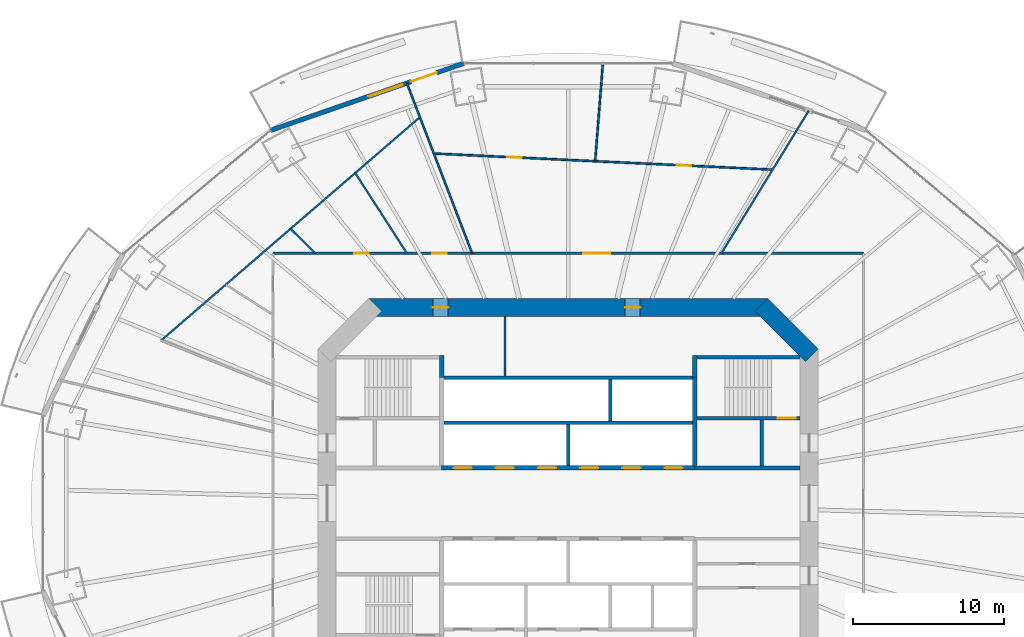
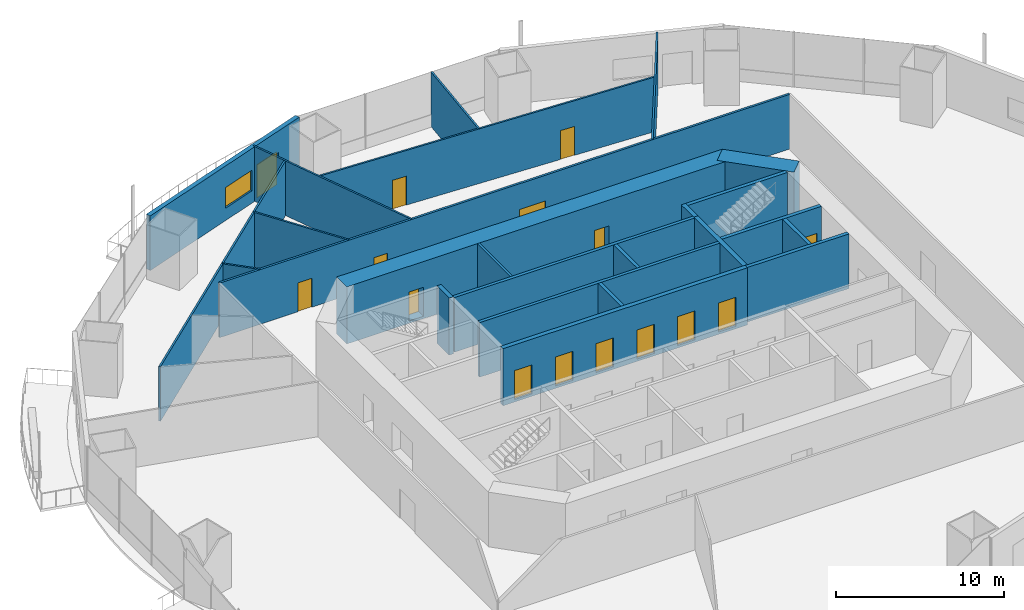
# One storey, part 15 of 22: 24 walls, 15 doors, 1 window, 16 openings.
"""IFC4 building model written with IfcOpenShell, lengths in metres."""

import ifcopenshell
import ifcopenshell.guid

model = None  # the IFC model being written
_history = None  # IfcOwnerHistory: only IFC2X3 demands one
_inside = {}  # id of a spatial element -> (the spatial element, [elements in it])
_under = {}  # id of a project, library or spatial element -> (it, [spatial elements below it])
_declared = {}  # id of a project -> (the project, [libraries it declares])
_typed = {}  # id of a type object -> (the type object, [elements of that type])
_made_of = {}  # id of a material, layer set ... -> (it, [elements and type objects made of it])


def new_model(schema):
    """Start an empty IFC model of exactly this schema.

    Asked for "IFC4X3", IfcOpenShell would pick the latest addendum, in which some entities
    have other attributes; the version numbers below select the first issue.
    IFC2X3 requires an IfcOwnerHistory on every rooted entity: one is made here for all.
    """
    global model, _history
    if schema == "IFC4X3":
        model = ifcopenshell.file(schema_version=(4, 3, 0, 0))
    else:
        model = ifcopenshell.file(schema=schema)
    _inside.clear()
    _under.clear()
    _declared.clear()
    _typed.clear()
    _made_of.clear()
    _history = None
    if model.schema == "IFC2X3":
        org = make("IfcOrganization", Name="unknown")
        user = make(
            "IfcPersonAndOrganization",
            ThePerson=make("IfcPerson", FamilyName="unknown"),
            TheOrganization=org,
        )
        app = make(
            "IfcApplication",
            ApplicationDeveloper=org,
            Version="unknown",
            ApplicationFullName="unknown",
            ApplicationIdentifier="unknown",
        )
        _history = make(
            "IfcOwnerHistory",
            OwningUser=user,
            OwningApplication=app,
            ChangeAction="ADDED",
            CreationDate=0,
        )
    return model


def make(cls, **values):
    """One entity of the class cls with the attributes given. An attribute that is None is left unset."""
    return model.create_entity(
        cls, **{name: value for name, value in values.items() if value is not None}
    )


def rooted(cls, **values):
    """An entity with a GlobalId (a new one), such as an element, a storey or a relation."""
    return make(cls, GlobalId=ifcopenshell.guid.new(), OwnerHistory=_history, **values)


def si_unit(unit_type, name, prefix=None):
    """IfcSIUnit, for example si_unit("LENGTHUNIT", "METRE", prefix="MILLI")."""
    return make("IfcSIUnit", UnitType=unit_type, Prefix=prefix, Name=name)


def assignment(units):
    """IfcUnitAssignment: the units of a project."""
    return None if units is None else make("IfcUnitAssignment", Units=units)


def point(xyz):
    """IfcCartesianPoint."""
    return None if xyz is None else make("IfcCartesianPoint", Coordinates=xyz)


def direction(xyz):
    """IfcDirection."""
    return None if xyz is None else make("IfcDirection", DirectionRatios=xyz)


def frame(location, z_axis=None, x_axis=None):
    """IfcAxis2Placement3D, a coordinate frame: its origin and axes. An axis left out is left unset."""
    return make(
        "IfcAxis2Placement3D",
        Location=point(location),
        Axis=direction(z_axis),
        RefDirection=direction(x_axis),
    )


def frame_2d(location, x_axis=None):
    """IfcAxis2Placement2D, a coordinate frame in the plane: its origin and x axis."""
    return make(
        "IfcAxis2Placement2D", Location=point(location), RefDirection=direction(x_axis)
    )


def origin():
    """The frame at (0, 0, 0) with its axes left unset."""
    return frame((0.0, 0.0, 0.0))


def place(relative_to, where):
    """IfcLocalPlacement: puts the frame where relative to a parent placement (None: the world)."""
    return make(
        "IfcLocalPlacement", PlacementRelTo=relative_to, RelativePlacement=where
    )


def context(
    kind, dimensions, precision=None, world=None, true_north=None, identifier=None
):
    """IfcGeometricRepresentationContext, for example the 3D "Model" context."""
    return make(
        "IfcGeometricRepresentationContext",
        ContextIdentifier=identifier,
        ContextType=kind,
        CoordinateSpaceDimension=dimensions,
        Precision=precision,
        WorldCoordinateSystem=world,
        TrueNorth=true_north,
    )


def subcontext(parent, identifier, kind, view, scale=None):
    """IfcGeometricRepresentationSubContext, for example "Body" below "Model"."""
    return make(
        "IfcGeometricRepresentationSubContext",
        ContextIdentifier=identifier,
        ContextType=kind,
        ParentContext=parent,
        TargetScale=scale,
        TargetView=view,
    )


def project(units=None, contexts=None):
    """IfcProject with its units and contexts."""
    return rooted(
        "IfcProject",
        Name="project",
        RepresentationContexts=contexts,
        UnitsInContext=assignment(units),
    )


def spatial(cls, under=None, at=None, **own):
    """A site, building, storey or space (cls), placed at a placement, below another one or the project."""
    s = rooted(cls, ObjectPlacement=at, **own)
    if under is not None:
        _under.setdefault(under.id(), (under, []))[1].append(s)
    return s


def profile(cls, at=None, kind="AREA", **sizes):
    """A parametric profile (cls). Its sizes go by their IFC names, for example OverallWidth=200.0."""
    return make(cls, ProfileType=kind, Position=at, **sizes)


def rectangle(**sizes):
    """IfcRectangleProfileDef."""
    return profile("IfcRectangleProfileDef", **sizes)


def extrude(swept, where, along, depth):
    """IfcExtrudedAreaSolid: the profile swept, set in the frame where, extruded along a direction by depth."""
    return make(
        "IfcExtrudedAreaSolid",
        SweptArea=swept,
        Position=where,
        ExtrudedDirection=direction(along),
        Depth=depth,
    )


def shape(context_of_items, identifier, shape_type, items):
    """IfcShapeRepresentation: the items that make up one representation, for example the "Body"."""
    return make(
        "IfcShapeRepresentation",
        ContextOfItems=context_of_items,
        RepresentationIdentifier=identifier,
        RepresentationType=shape_type,
        Items=items,
    )


def material(Name=None, Category=None):
    """IfcMaterial."""
    return make("IfcMaterial", Name=Name, Category=Category)


def layer(
    of_material, thickness, ventilated=None, Name=None, Category=None, Priority=None
):
    """IfcMaterialLayer: one layer of a wall or slab, of a material (None: an air gap)."""
    return make(
        "IfcMaterialLayer",
        Material=of_material,
        LayerThickness=thickness,
        IsVentilated=ventilated,
        Name=Name,
        Category=Category,
        Priority=Priority,
    )


def layer_set(layers, Name=None):
    """IfcMaterialLayerSet."""
    return make("IfcMaterialLayerSet", MaterialLayers=layers, LayerSetName=Name)


def made_of(thing, what):
    """Note that an element or type object is made of a material, layer set ...; save() writes the relation."""
    if what is not None:
        _made_of.setdefault(what.id(), (what, []))[1].append(thing)
    return thing


def type_object(cls, material=None, **own):
    """A type object (cls), such as IfcWallType, which elements share."""
    return made_of(rooted(cls, **own), material)


def element(
    cls,
    number,
    at=None,
    inside=None,
    cuts=None,
    type_object=None,
    material=None,
    context=None,
    identifier="Body",
    shape_type=None,
    held_by="IfcProductDefinitionShape",
    body=None,
    shapes=None,
    **own,
):
    """One element of the class cls, such as IfcWall. Its Tag is "e" and its number.

    at: its placement. inside: the storey or other place that contains it. cuts: it is an
    opening in that element (IfcRelVoidsElement). A single representation is given by context,
    identifier, shape_type and body (its items); several are given by shapes. held_by: the class
    of the entity that holds the representations. save() writes the other relations.
    """
    e = rooted(cls, Tag="e%d" % number, ObjectPlacement=at, **own)
    if body is not None:
        shapes = [shape(context, identifier, shape_type, body)]
    if shapes is not None:
        e.Representation = make(held_by, Representations=shapes)
    if inside is not None:
        _inside.setdefault(inside.id(), (inside, []))[1].append(e)
    if cuts is not None:
        rooted(
            "IfcRelVoidsElement", RelatingBuildingElement=cuts, RelatedOpeningElement=e
        )
    if type_object is not None:
        _typed.setdefault(type_object.id(), (type_object, []))[1].append(e)
    return made_of(e, material)


def fill(opening, filler):
    """IfcRelFillsElement: the door or window that sits in an opening."""
    return rooted(
        "IfcRelFillsElement",
        RelatingOpeningElement=opening,
        RelatedBuildingElement=filler,
    )


def aggregate(whole, parts):
    """IfcRelAggregates: a whole, such as a stair, and the parts it consists of."""
    return rooted("IfcRelAggregates", RelatingObject=whole, RelatedObjects=parts)


def save(model, path):
    """Write the relations noted so far, then the file.

    IfcRelAggregates (storeys below a building ...), IfcRelContainedInSpatialStructure (elements
    in a storey), IfcRelDefinesByType, IfcRelAssociatesMaterial and IfcRelDeclares: one each for
    every whole, place, type object, material and project.
    """
    for whole, parts in _under.values():
        aggregate(whole, parts)
    for where, things in _inside.values():
        rooted(
            "IfcRelContainedInSpatialStructure",
            RelatedElements=things,
            RelatingStructure=where,
        )
    for kind, things in _typed.values():
        rooted("IfcRelDefinesByType", RelatedObjects=things, RelatingType=kind)
    for what, things in _made_of.values():
        rooted("IfcRelAssociatesMaterial", RelatedObjects=things, RelatingMaterial=what)
    for by, libraries in _declared.values():
        rooted("IfcRelDeclares", RelatingContext=by, RelatedDefinitions=libraries)
    model.write(path)


model = new_model("IFC4")

# Units and contexts
model_context = context("Model", 3, precision=1e-05, world=origin(), true_north=direction((0.0, 1.0)))
body_context = subcontext(model_context, "Body", "Model", "MODEL_VIEW")
ifc_project = project(units=[si_unit("LENGTHUNIT", "METRE"), si_unit("AREAUNIT", "SQUARE_METRE"), si_unit("VOLUMEUNIT", "CUBIC_METRE"), si_unit("PLANEANGLEUNIT", "RADIAN"), si_unit("MASSUNIT", "GRAM", prefix="KILO")], contexts=[model_context])

# Site, building, storey
site_placement = place(None, origin())
site = spatial("IfcSite", under=ifc_project, at=site_placement, CompositionType="ELEMENT")
building_placement = place(site_placement, origin())
building = spatial("IfcBuilding", under=site, at=building_placement, Name="Marenthal Gate Tower", CompositionType="ELEMENT")
storey_placement = place(building_placement, frame((0.0, 0.0, 70.35009765625)))
storey = spatial("IfcBuildingStorey", under=building, at=storey_placement, Name="L13", CompositionType="ELEMENT", Elevation=70.35009765625)

# Wall
ifc_material_1 = material(Name="Concrete 60 MPa", Category="concrete")
ifc_layer_1 = layer(ifc_material_1, 1.199951171875)
ifc_layer_set_1 = layer_set([ifc_layer_1], Name="Core shear wall 1200")
wall_type_1 = type_object("IfcWallType", Name="Core shear wall 1200", PredefinedType="SHEAR", material=ifc_layer_set_1)
wall_1_placement = place(storey_placement, frame((16.17578125, 9.82421875, -0.18017578125), z_axis=(0.0, 0.0, 1.0), x_axis=(-0.707106781187, 0.707106781187, 0.0)))
element("IfcWall", 1, at=wall_1_placement, inside=storey, type_object=wall_type_1, Name="Core wall 03", PredefinedType="SHEAR", context=body_context, shape_type="SweptSolid", body=[
    extrude(rectangle(XDim=4.73974609375, YDim=1.199951171875, at=frame_2d((2.369873046875, 0.0))), origin(), (0.0, 0.0, 1.0), 4.150146484375),
])

# Wall, openings, doors
wall_2_placement = place(storey_placement, frame((13.24853515625, 13.0, -0.18017578125), z_axis=(0.0, 0.0, 1.0), x_axis=(-1.0, 0.0, 0.0)))
wall_2 = element("IfcWall", 2, at=wall_2_placement, inside=storey, type_object=wall_type_1, Name="Core wall 04", PredefinedType="SHEAR", context=body_context, shape_type="SweptSolid", body=[
    extrude(rectangle(XDim=26.4970703125, YDim=1.199951171875, at=frame_2d((13.24853515625, 0.0))), origin(), (0.0, 0.0, 1.0), 4.150146484375),
])
opening_1_placement = place(wall_2_placement, frame((21.224609375, 0.0, 0.179931640625)))
opening_1 = element("IfcOpeningElement", 3, at=opening_1_placement, cuts=wall_2, Name="Opening D005.01", PredefinedType="OPENING", context=body_context, shape_type="SweptSolid", body=[
    extrude(rectangle(XDim=1.0, YDim=2.10009765625, at=frame_2d((0.5, 1.050048828125))), frame((0.0, 0.60986328125, 0.0), z_axis=(0.0, -1.0, 0.0), x_axis=(1.0, 0.0, 0.0)), (0.0, 0.0, 1.0), 1.219970703125),
])
opening_2_placement = place(wall_2_placement, frame((8.472412109375, 0.0, 0.179931640625)))
opening_2 = element("IfcOpeningElement", 4, at=opening_2_placement, cuts=wall_2, Name="Opening D005.02", PredefinedType="OPENING", context=body_context, shape_type="SweptSolid", body=[
    extrude(rectangle(XDim=1.0, YDim=2.10009765625, at=frame_2d((0.5, 1.050048828125))), frame((0.0, 0.60986328125, 0.0), z_axis=(0.0, -1.0, 0.0), x_axis=(1.0, 0.0, 0.0)), (0.0, 0.0, 1.0), 1.219970703125),
])
ifc_material_2 = material(Name="Steel fire door", Category="steel")
door_type_1 = type_object("IfcDoorType", Name="Fire door FD 45 1000 x 2100", OperationType="NOTDEFINED", PredefinedType="DOOR", material=ifc_material_2)
door_1_placement = place(opening_1_placement, origin())
door_1 = element("IfcDoor", 5, at=door_1_placement, inside=storey, type_object=door_type_1, Name="Door D005.01", OperationType="SINGLE_SWING_RIGHT", OverallHeight=2.10009765625, OverallWidth=1.0, PredefinedType="DOOR", context=body_context, shape_type="SweptSolid", body=[
    extrude(rectangle(XDim=1.0, YDim=2.10009765625, at=frame_2d((0.5, 1.050048828125))), frame((0.0, 0.02490234375, 0.0), z_axis=(0.0, -1.0, 0.0), x_axis=(1.0, 0.0, 0.0)), (0.0, 0.0, 1.0), 0.050048828125),
])
fill(opening_1, door_1)
door_2_placement = place(opening_2_placement, origin())
door_2 = element("IfcDoor", 6, at=door_2_placement, inside=storey, type_object=door_type_1, Name="Door D005.02", OperationType="SINGLE_SWING_RIGHT", OverallHeight=2.10009765625, OverallWidth=1.0, PredefinedType="DOOR", context=body_context, shape_type="SweptSolid", body=[
    extrude(rectangle(XDim=1.0, YDim=2.10009765625, at=frame_2d((0.5, 1.050048828125))), frame((0.0, 0.02490234375, 0.0), z_axis=(0.0, -1.0, 0.0), x_axis=(1.0, 0.0, 0.0)), (0.0, 0.0, 1.0), 0.050048828125),
])
fill(opening_2, door_2)

ifc_material_3 = material(Name="Concrete 50 MPa", Category="concrete")
ifc_layer_2 = layer(ifc_material_3, 0.300048828125)
ifc_layer_set_2 = layer_set([ifc_layer_2], Name="Hoistway shear wall 300")
wall_type_2 = type_object("IfcWallType", Name="Hoistway shear wall 300", PredefinedType="SHEAR", material=ifc_layer_set_2)
wall_3_placement = place(storey_placement, frame((-8.39990234375, 2.35009765625, -0.18017578125), z_axis=(0.0, 0.0, 1.0), x_axis=(1.0, 0.0, 0.0)))
wall_3 = element("IfcWall", 7, at=wall_3_placement, inside=storey, type_object=wall_type_2, Name="Hoistway wall 20", PredefinedType="SHEAR", context=body_context, shape_type="SweptSolid", body=[
    extrude(rectangle(XDim=16.7998046875, YDim=0.300048828125, at=frame_2d((8.39990234375, 0.0))), origin(), (0.0, 0.0, 1.0), 4.150146484375),
])
opening_3_placement = place(wall_3_placement, frame((0.800048828125, 0.0, 0.179931640625)))
opening_3 = element("IfcOpeningElement", 8, at=opening_3_placement, cuts=wall_3, Name="Opening LD-LP1", PredefinedType="OPENING", context=body_context, shape_type="SweptSolid", body=[
    extrude(rectangle(XDim=1.199951171875, YDim=2.10009765625, at=frame_2d((0.60009765625, 1.050048828125))), frame((0.0, 0.16015625, 0.0), z_axis=(0.0, -1.0, 0.0), x_axis=(1.0, 0.0, 0.0)), (0.0, 0.0, 1.0), 0.320068359375),
])
opening_4_placement = place(wall_3_placement, frame((3.60009765625, 0.0, 0.179931640625)))
opening_4 = element("IfcOpeningElement", 9, at=opening_4_placement, cuts=wall_3, Name="Opening LD-LP2", PredefinedType="OPENING", context=body_context, shape_type="SweptSolid", body=[
    extrude(rectangle(XDim=1.199951171875, YDim=2.10009765625, at=frame_2d((0.60009765625, 1.050048828125))), frame((0.0, 0.16015625, 0.0), z_axis=(0.0, -1.0, 0.0), x_axis=(1.0, 0.0, 0.0)), (0.0, 0.0, 1.0), 0.320068359375),
])
opening_5_placement = place(wall_3_placement, frame((6.39990234375, 0.0, 0.179931640625)))
opening_5 = element("IfcOpeningElement", 10, at=opening_5_placement, cuts=wall_3, Name="Opening LD-LP3", PredefinedType="OPENING", context=body_context, shape_type="SweptSolid", body=[
    extrude(rectangle(XDim=1.199951171875, YDim=2.10009765625, at=frame_2d((0.60009765625, 1.050048828125))), frame((0.0, 0.16015625, 0.0), z_axis=(0.0, -1.0, 0.0), x_axis=(1.0, 0.0, 0.0)), (0.0, 0.0, 1.0), 0.320068359375),
])
opening_6_placement = place(wall_3_placement, frame((9.199951171875, 0.0, 0.179931640625)))
opening_6 = element("IfcOpeningElement", 11, at=opening_6_placement, cuts=wall_3, Name="Opening LD-LP4", PredefinedType="OPENING", context=body_context, shape_type="SweptSolid", body=[
    extrude(rectangle(XDim=1.199951171875, YDim=2.10009765625, at=frame_2d((0.60009765625, 1.050048828125))), frame((0.0, 0.16015625, 0.0), z_axis=(0.0, -1.0, 0.0), x_axis=(1.0, 0.0, 0.0)), (0.0, 0.0, 1.0), 0.320068359375),
])
opening_7_placement = place(wall_3_placement, frame((12.0, 0.0, 0.179931640625)))
opening_7 = element("IfcOpeningElement", 12, at=opening_7_placement, cuts=wall_3, Name="Opening LD-LP5", PredefinedType="OPENING", context=body_context, shape_type="SweptSolid", body=[
    extrude(rectangle(XDim=1.199951171875, YDim=2.10009765625, at=frame_2d((0.60009765625, 1.050048828125))), frame((0.0, 0.16015625, 0.0), z_axis=(0.0, -1.0, 0.0), x_axis=(1.0, 0.0, 0.0)), (0.0, 0.0, 1.0), 0.320068359375),
])
opening_8_placement = place(wall_3_placement, frame((14.800048828125, 0.0, 0.179931640625)))
opening_8 = element("IfcOpeningElement", 13, at=opening_8_placement, cuts=wall_3, Name="Opening LD-LP6", PredefinedType="OPENING", context=body_context, shape_type="SweptSolid", body=[
    extrude(rectangle(XDim=1.199951171875, YDim=2.10009765625, at=frame_2d((0.60009765625, 1.050048828125))), frame((0.0, 0.16015625, 0.0), z_axis=(0.0, -1.0, 0.0), x_axis=(1.0, 0.0, 0.0)), (0.0, 0.0, 1.0), 0.320068359375),
])
ifc_material_4 = material(Name="Stainless steel sliding door", Category="steel")
door_type_2 = type_object("IfcDoorType", Name="Lift landing door FD 90 1200 x 2100", OperationType="DOUBLE_DOOR_SLIDING", PredefinedType="DOOR", material=ifc_material_4)
door_3_placement = place(opening_3_placement, origin())
door_3 = element("IfcDoor", 14, at=door_3_placement, inside=storey, type_object=door_type_2, Name="Lift landing door LP1", OperationType="DOUBLE_DOOR_SLIDING", OverallHeight=2.10009765625, OverallWidth=1.199951171875, PredefinedType="DOOR", context=body_context, shape_type="SweptSolid", body=[
    extrude(rectangle(XDim=1.199951171875, YDim=2.10009765625, at=frame_2d((0.60009765625, 1.050048828125))), frame((0.0, 0.02490234375, 0.0), z_axis=(0.0, -1.0, 0.0), x_axis=(1.0, 0.0, 0.0)), (0.0, 0.0, 1.0), 0.050048828125),
])
fill(opening_3, door_3)
door_4_placement = place(opening_4_placement, origin())
door_4 = element("IfcDoor", 15, at=door_4_placement, inside=storey, type_object=door_type_2, Name="Lift landing door LP2", OperationType="DOUBLE_DOOR_SLIDING", OverallHeight=2.10009765625, OverallWidth=1.199951171875, PredefinedType="DOOR", context=body_context, shape_type="SweptSolid", body=[
    extrude(rectangle(XDim=1.199951171875, YDim=2.10009765625, at=frame_2d((0.60009765625, 1.050048828125))), frame((0.0, 0.02490234375, 0.0), z_axis=(0.0, -1.0, 0.0), x_axis=(1.0, 0.0, 0.0)), (0.0, 0.0, 1.0), 0.050048828125),
])
fill(opening_4, door_4)
door_5_placement = place(opening_5_placement, origin())
door_5 = element("IfcDoor", 16, at=door_5_placement, inside=storey, type_object=door_type_2, Name="Lift landing door LP3", OperationType="DOUBLE_DOOR_SLIDING", OverallHeight=2.10009765625, OverallWidth=1.199951171875, PredefinedType="DOOR", context=body_context, shape_type="SweptSolid", body=[
    extrude(rectangle(XDim=1.199951171875, YDim=2.10009765625, at=frame_2d((0.60009765625, 1.050048828125))), frame((0.0, 0.02490234375, 0.0), z_axis=(0.0, -1.0, 0.0), x_axis=(1.0, 0.0, 0.0)), (0.0, 0.0, 1.0), 0.050048828125),
])
fill(opening_5, door_5)
door_6_placement = place(opening_6_placement, origin())
door_6 = element("IfcDoor", 17, at=door_6_placement, inside=storey, type_object=door_type_2, Name="Lift landing door LP4", OperationType="DOUBLE_DOOR_SLIDING", OverallHeight=2.10009765625, OverallWidth=1.199951171875, PredefinedType="DOOR", context=body_context, shape_type="SweptSolid", body=[
    extrude(rectangle(XDim=1.199951171875, YDim=2.10009765625, at=frame_2d((0.60009765625, 1.050048828125))), frame((0.0, 0.02490234375, 0.0), z_axis=(0.0, -1.0, 0.0), x_axis=(1.0, 0.0, 0.0)), (0.0, 0.0, 1.0), 0.050048828125),
])
fill(opening_6, door_6)
door_7_placement = place(opening_7_placement, origin())
door_7 = element("IfcDoor", 18, at=door_7_placement, inside=storey, type_object=door_type_2, Name="Lift landing door LP5", OperationType="DOUBLE_DOOR_SLIDING", OverallHeight=2.10009765625, OverallWidth=1.199951171875, PredefinedType="DOOR", context=body_context, shape_type="SweptSolid", body=[
    extrude(rectangle(XDim=1.199951171875, YDim=2.10009765625, at=frame_2d((0.60009765625, 1.050048828125))), frame((0.0, 0.02490234375, 0.0), z_axis=(0.0, -1.0, 0.0), x_axis=(1.0, 0.0, 0.0)), (0.0, 0.0, 1.0), 0.050048828125),
])
fill(opening_7, door_7)
door_8_placement = place(opening_8_placement, origin())
door_8 = element("IfcDoor", 19, at=door_8_placement, inside=storey, type_object=door_type_2, Name="Lift landing door LP6", OperationType="DOUBLE_DOOR_SLIDING", OverallHeight=2.10009765625, OverallWidth=1.199951171875, PredefinedType="DOOR", context=body_context, shape_type="SweptSolid", body=[
    extrude(rectangle(XDim=1.199951171875, YDim=2.10009765625, at=frame_2d((0.60009765625, 1.050048828125))), frame((0.0, 0.02490234375, 0.0), z_axis=(0.0, -1.0, 0.0), x_axis=(1.0, 0.0, 0.0)), (0.0, 0.0, 1.0), 0.050048828125),
])
fill(opening_8, door_8)

# Walls
wall_4_placement = place(storey_placement, frame((8.39990234375, 2.5, -0.18017578125), z_axis=(0.0, 0.0, 1.0), x_axis=(0.0, 1.0, 0.0)))
element("IfcWall", 20, at=wall_4_placement, inside=storey, type_object=wall_type_2, Name="Hoistway wall 44", PredefinedType="SHEAR", context=body_context, shape_type="SweptSolid", body=[
    extrude(rectangle(XDim=5.85009765625, YDim=0.300048828125, at=frame_2d((2.925048828125, 0.0))), origin(), (0.0, 0.0, 1.0), 4.150146484375),
])
ifc_material_5 = material(Name="Concrete 40 MPa", Category="concrete")
ifc_layer_3 = layer(ifc_material_5, 0.219970703125)
ifc_layer_set_3 = layer_set([ifc_layer_3], Name="Hoistway wall 220")
wall_type_3 = type_object("IfcWallType", Name="Hoistway wall 220", PredefinedType="STANDARD", material=ifc_layer_set_3)
for number, where, z_axis, x_axis, name in (
    (21, (-8.25, 5.35009765625, 0.0), (0.0, 0.0, 1.0), (1.0, 0.0, 0.0), "Hoistway wall 22"),
    (22, (-8.25, 8.35009765625, 0.0), (0.0, 0.0, 1.0), (1.0, 0.0, 0.0), "Hoistway wall 25"),
):
    element("IfcWall", number, at=place(storey_placement, frame(where, z_axis=z_axis, x_axis=x_axis)), inside=storey, type_object=wall_type_3, Name=name, PredefinedType="STANDARD", context=body_context, shape_type="SweptSolid", body=[
        extrude(rectangle(XDim=16.5, YDim=0.219970703125, at=frame_2d((8.25, 0.0))), origin(), (0.0, 0.0, 1.0), 3.969970703125),
    ])
wall_5_placement = place(storey_placement, frame((0.0, 2.5, 0.0), z_axis=(0.0, 0.0, 1.0), x_axis=(0.0, 1.0, 0.0)))
element("IfcWall", 23, at=wall_5_placement, inside=storey, type_object=wall_type_3, Name="Hoistway wall 38", PredefinedType="STANDARD", context=body_context, shape_type="SweptSolid", body=[
    extrude(rectangle(XDim=2.739990234375, YDim=0.219970703125, at=frame_2d((1.3701171875, 0.0))), origin(), (0.0, 0.0, 1.0), 3.969970703125),
])
wall_6_placement = place(storey_placement, frame((2.800048828125, 5.4599609375, 0.0), z_axis=(0.0, 0.0, 1.0), x_axis=(0.0, 1.0, 0.0)))
element("IfcWall", 24, at=wall_6_placement, inside=storey, type_object=wall_type_3, Name="Hoistway wall 40", PredefinedType="STANDARD", context=body_context, shape_type="SweptSolid", body=[
    extrude(rectangle(XDim=2.780029296875, YDim=0.219970703125, at=frame_2d((1.39013671875, 0.0))), origin(), (0.0, 0.0, 1.0), 3.969970703125),
])
ifc_material_6 = material(Name="Gypsum board on steel studs", Category="steel")
ifc_layer_4 = layer(ifc_material_6, 0.1201171875)
ifc_layer_set_4 = layer_set([ifc_layer_4], Name="Partition 120")
wall_type_4 = type_object("IfcWallType", Name="Partition 120", PredefinedType="PARTITIONING", material=ifc_layer_set_4)
wall_7_placement = place(storey_placement, frame((-18.4345703125, 18.22900390625, 0.0), z_axis=(0.0, 0.0, 1.0), x_axis=(0.711099857719, -0.703091027074, 0.0)))
element("IfcWall", 25, at=wall_7_placement, inside=storey, type_object=wall_type_4, Name="Partition wall 52", PredefinedType="PARTITIONING", context=body_context, shape_type="SweptSolid", body=[
    extrude(rectangle(XDim=2.31689453125, YDim=0.1201171875, at=frame_2d((1.158447265625, 0.0))), origin(), (0.0, 0.0, 1.0), 3.969970703125),
])
wall_8_placement = place(storey_placement, frame((-14.140625, 21.93408203125, 0.0), z_axis=(0.0, 0.0, 1.0), x_axis=(0.541842063077, -0.840480326171, 0.0)))
element("IfcWall", 26, at=wall_8_placement, inside=storey, type_object=wall_type_4, Name="Partition wall 53", PredefinedType="PARTITIONING", context=body_context, shape_type="SweptSolid", body=[
    extrude(rectangle(XDim=6.346435546875, YDim=0.1201171875, at=frame_2d((3.17333984375, 0.0))), origin(), (0.0, 0.0, 1.0), 3.969970703125),
])
wall_9_placement = place(storey_placement, frame((-9.8466796875, 25.639404296875, 0.0), z_axis=(0.0, 0.0, 1.0), x_axis=(-0.757112580358, -0.653284425548, 0.0)))
element("IfcWall", 27, at=wall_9_placement, inside=storey, type_object=wall_type_4, Name="Partition wall 54", PredefinedType="PARTITIONING", context=body_context, shape_type="SweptSolid", body=[
    extrude(rectangle(XDim=22.686279296875, YDim=0.1201171875, at=frame_2d((11.34326171875, 0.0))), origin(), (0.0, 0.0, 1.0), 3.969970703125),
])
wall_10_placement = place(storey_placement, frame((-6.375, 16.60009765625, 0.0), z_axis=(0.0, 0.0, 1.0), x_axis=(-0.358534397195, 0.933516516205, 0.0)))
element("IfcWall", 28, at=wall_10_placement, inside=storey, type_object=wall_type_4, Name="Partition wall 55", PredefinedType="PARTITIONING", context=body_context, shape_type="SweptSolid", body=[
    extrude(rectangle(XDim=12.10498046875, YDim=0.1201171875, at=frame_2d((6.052490234375, 0.0))), origin(), (0.0, 0.0, 1.0), 3.969970703125),
])
wall_11_placement = place(storey_placement, frame((2.302001953125, 29.211669921875, 0.0), z_axis=(0.0, 0.0, 1.0), x_axis=(-0.078544698075, -0.996910592984, 0.0)))
element("IfcWall", 29, at=wall_11_placement, inside=storey, type_object=wall_type_4, Name="Partition wall 57", PredefinedType="PARTITIONING", context=body_context, shape_type="SweptSolid", body=[
    extrude(rectangle(XDim=6.514892578125, YDim=0.1201171875, at=frame_2d((3.25732421875, 0.0))), origin(), (0.0, 0.0, 1.0), 3.969970703125),
])
wall_12_placement = place(storey_placement, frame((10.168701171875, 16.60009765625, 0.0), z_axis=(0.0, 0.0, 1.0), x_axis=(0.522354417251, 0.852728481276, 0.0)))
element("IfcWall", 30, at=wall_12_placement, inside=storey, type_object=wall_type_4, Name="Partition wall 58", PredefinedType="PARTITIONING", context=body_context, shape_type="SweptSolid", body=[
    extrude(rectangle(XDim=11.112060546875, YDim=0.1201171875, at=frame_2d((5.55615234375, 0.0))), origin(), (0.0, 0.0, 1.0), 3.969970703125),
])

# Wall, openings, doors
wall_13_placement = place(storey_placement, frame((13.572265625, 22.15625, 0.0), z_axis=(0.0, 0.0, 1.0), x_axis=(-0.998870221803, 0.047521363561, 0.0)))
wall_13 = element("IfcWall", 31, at=wall_13_placement, inside=storey, type_object=wall_type_4, Name="Partition wall 59", PredefinedType="PARTITIONING", context=body_context, shape_type="SweptSolid", body=[
    extrude(rectangle(XDim=22.517578125, YDim=0.1201171875, at=frame_2d((11.2587890625, 0.0))), origin(), (0.0, 0.0, 1.0), 3.969970703125),
])
opening_9_placement = place(wall_13_placement, frame((5.423095703125, 0.0, 0.0)))
opening_9 = element("IfcOpeningElement", 32, at=opening_9_placement, cuts=wall_13, Name="Opening D016.01", PredefinedType="OPENING", context=body_context, shape_type="SweptSolid", body=[
    extrude(rectangle(XDim=0.949951171875, YDim=2.10009765625, at=frame_2d((0.47509765625, 1.050048828125))), frame((0.0, 0.070068359375, 0.0), z_axis=(0.0, -1.0, 0.0), x_axis=(1.0, 0.0, 0.0)), (0.0, 0.0, 1.0), 0.14013671875),
])
opening_10_placement = place(wall_13_placement, frame((16.681884765625, 0.0, 0.0)))
opening_10 = element("IfcOpeningElement", 33, at=opening_10_placement, cuts=wall_13, Name="Opening D016.02", PredefinedType="OPENING", context=body_context, shape_type="SweptSolid", body=[
    extrude(rectangle(XDim=0.949951171875, YDim=2.10009765625, at=frame_2d((0.47509765625, 1.050048828125))), frame((0.0, 0.070068359375, 0.0), z_axis=(0.0, -1.0, 0.0), x_axis=(1.0, 0.0, 0.0)), (0.0, 0.0, 1.0), 0.14013671875),
])
ifc_material_7 = material(Name="Timber door", Category="wood")
door_type_3 = type_object("IfcDoorType", Name="Door 950 x 2100", OperationType="NOTDEFINED", PredefinedType="DOOR", material=ifc_material_7)
door_9_placement = place(opening_9_placement, frame((0.949951171875, 0.0, 0.0), z_axis=(0.0, 0.0, 1.0), x_axis=(-1.0, 0.0, 0.0)))
door_9 = element("IfcDoor", 34, at=door_9_placement, inside=storey, type_object=door_type_3, Name="Door D016.01", OperationType="SINGLE_SWING_LEFT", OverallHeight=2.10009765625, OverallWidth=0.949951171875, PredefinedType="DOOR", context=body_context, shape_type="SweptSolid", body=[
    extrude(rectangle(XDim=0.949951171875, YDim=2.10009765625, at=frame_2d((0.47509765625, 1.050048828125))), frame((0.0, 0.02490234375, 0.0), z_axis=(0.0, -1.0, 0.0), x_axis=(1.0, 0.0, 0.0)), (0.0, 0.0, 1.0), 0.050048828125),
])
fill(opening_9, door_9)
door_10_placement = place(opening_10_placement, frame((0.949951171875, 0.0, 0.0), z_axis=(0.0, 0.0, 1.0), x_axis=(-1.0, 0.0, 0.0)))
door_10 = element("IfcDoor", 35, at=door_10_placement, inside=storey, type_object=door_type_3, Name="Door D016.02", OperationType="SINGLE_SWING_LEFT", OverallHeight=2.10009765625, OverallWidth=0.949951171875, PredefinedType="DOOR", context=body_context, shape_type="SweptSolid", body=[
    extrude(rectangle(XDim=0.949951171875, YDim=2.10009765625, at=frame_2d((0.47509765625, 1.050048828125))), frame((0.0, 0.02490234375, 0.0), z_axis=(0.0, -1.0, 0.0), x_axis=(1.0, 0.0, 0.0)), (0.0, 0.0, 1.0), 0.050048828125),
])
fill(opening_10, door_10)

# Wall
ifc_material_8 = material(Name="Gypsum board on steel studs", Category="steel")
ifc_layer_5 = layer(ifc_material_8, 0.14990234375)
ifc_layer_set_5 = layer_set([ifc_layer_5], Name="Partition 150")
wall_type_5 = type_object("IfcWallType", Name="Partition 150", PredefinedType="PARTITIONING", material=ifc_layer_set_5)
wall_14_placement = place(storey_placement, frame((-4.199951171875, 8.4599609375, 0.0), z_axis=(0.0, 0.0, 1.0), x_axis=(0.0, 1.0, 0.0)))
element("IfcWall", 36, at=wall_14_placement, inside=storey, type_object=wall_type_5, Name="Partition wall 34", PredefinedType="PARTITIONING", context=body_context, shape_type="SweptSolid", body=[
    extrude(rectangle(XDim=3.93994140625, YDim=0.14990234375, at=frame_2d((1.969970703125, 0.0))), origin(), (0.0, 0.0, 1.0), 3.969970703125),
])

# Wall, openings, doors
wall_15_placement = place(storey_placement, frame((-19.60009765625, 16.60009765625, 0.0), z_axis=(0.0, 0.0, 1.0), x_axis=(1.0, 0.0, 0.0)))
wall_15 = element("IfcWall", 37, at=wall_15_placement, inside=storey, type_object=wall_type_5, Name="Partition wall 51", PredefinedType="PARTITIONING", context=body_context, shape_type="SweptSolid", body=[
    extrude(rectangle(XDim=39.2001953125, YDim=0.14990234375, at=frame_2d((19.60009765625, 0.0))), origin(), (0.0, 0.0, 1.0), 3.969970703125),
])
opening_11_placement = place(wall_15_placement, frame((20.596923828125, 0.0, 0.0)))
opening_11 = element("IfcOpeningElement", 38, at=opening_11_placement, cuts=wall_15, Name="Opening D014.01", PredefinedType="OPENING", context=body_context, shape_type="SweptSolid", body=[
    extrude(rectangle(XDim=1.800048828125, YDim=2.10009765625, at=frame_2d((0.89990234375, 1.050048828125))), frame((0.0, 0.0849609375, 0.0), z_axis=(0.0, -1.0, 0.0), x_axis=(1.0, 0.0, 0.0)), (0.0, 0.0, 1.0), 0.169921875),
])
opening_12_placement = place(wall_15_placement, frame((10.5869140625, 0.0, 0.0)))
opening_12 = element("IfcOpeningElement", 39, at=opening_12_placement, cuts=wall_15, Name="Opening D016.03", PredefinedType="OPENING", context=body_context, shape_type="SweptSolid", body=[
    extrude(rectangle(XDim=0.949951171875, YDim=2.10009765625, at=frame_2d((0.47509765625, 1.050048828125))), frame((0.0, 0.0849609375, 0.0), z_axis=(0.0, -1.0, 0.0), x_axis=(1.0, 0.0, 0.0)), (0.0, 0.0, 1.0), 0.169921875),
])
opening_13_placement = place(wall_15_placement, frame((5.381103515625, 0.0, 0.0)))
opening_13 = element("IfcOpeningElement", 40, at=opening_13_placement, cuts=wall_15, Name="Opening D016.04", PredefinedType="OPENING", context=body_context, shape_type="SweptSolid", body=[
    extrude(rectangle(XDim=0.949951171875, YDim=2.10009765625, at=frame_2d((0.47509765625, 1.050048828125))), frame((0.0, 0.0849609375, 0.0), z_axis=(0.0, -1.0, 0.0), x_axis=(1.0, 0.0, 0.0)), (0.0, 0.0, 1.0), 0.169921875),
])
door_11_placement = place(opening_12_placement, origin())
door_11 = element("IfcDoor", 41, at=door_11_placement, inside=storey, type_object=door_type_3, Name="Door D016.03", OperationType="SINGLE_SWING_RIGHT", OverallHeight=2.10009765625, OverallWidth=0.949951171875, PredefinedType="DOOR", context=body_context, shape_type="SweptSolid", body=[
    extrude(rectangle(XDim=0.949951171875, YDim=2.10009765625, at=frame_2d((0.47509765625, 1.050048828125))), frame((0.0, 0.02490234375, 0.0), z_axis=(0.0, -1.0, 0.0), x_axis=(1.0, 0.0, 0.0)), (0.0, 0.0, 1.0), 0.050048828125),
])
fill(opening_12, door_11)
door_12_placement = place(opening_13_placement, origin())
door_12 = element("IfcDoor", 42, at=door_12_placement, inside=storey, type_object=door_type_3, Name="Door D016.04", OperationType="SINGLE_SWING_RIGHT", OverallHeight=2.10009765625, OverallWidth=0.949951171875, PredefinedType="DOOR", context=body_context, shape_type="SweptSolid", body=[
    extrude(rectangle(XDim=0.949951171875, YDim=2.10009765625, at=frame_2d((0.47509765625, 1.050048828125))), frame((0.0, 0.02490234375, 0.0), z_axis=(0.0, -1.0, 0.0), x_axis=(1.0, 0.0, 0.0)), (0.0, 0.0, 1.0), 0.050048828125),
])
fill(opening_13, door_12)
ifc_material_9 = material(Name="Timber door", Category="wood")
door_type_4 = type_object("IfcDoorType", Name="Double door 1800 x 2100", OperationType="DOUBLE_DOOR_SINGLE_SWING", PredefinedType="DOOR", material=ifc_material_9)
door_13_placement = place(opening_11_placement, origin())
door_13 = element("IfcDoor", 43, at=door_13_placement, inside=storey, type_object=door_type_4, Name="Door D014.01", OperationType="DOUBLE_DOOR_SINGLE_SWING", OverallHeight=2.10009765625, OverallWidth=1.800048828125, PredefinedType="DOOR", context=body_context, shape_type="SweptSolid", body=[
    extrude(rectangle(XDim=1.800048828125, YDim=2.10009765625, at=frame_2d((0.89990234375, 1.050048828125))), frame((0.0, 0.02490234375, 0.0), z_axis=(0.0, -1.0, 0.0), x_axis=(1.0, 0.0, 0.0)), (0.0, 0.0, 1.0), 0.050048828125),
])
fill(opening_11, door_13)

# Walls
ifc_material_10 = material(Name="Concrete 40 MPa", Category="concrete")
ifc_layer_6 = layer(ifc_material_10, 0.25)
ifc_layer_set_6 = layer_set([ifc_layer_6], Name="Stair enclosure wall 250")
wall_type_6 = type_object("IfcWallType", Name="Stair enclosure wall 250", PredefinedType="STANDARD", material=ifc_layer_set_6)
wall_16_placement = place(storey_placement, frame((8.39990234375, 2.35009765625, 0.0), z_axis=(0.0, 0.0, 1.0), x_axis=(1.0, 0.0, 0.0)))
element("IfcWall", 44, at=wall_16_placement, inside=storey, type_object=wall_type_6, Name="Stair wall 21", PredefinedType="STANDARD", context=body_context, shape_type="SweptSolid", body=[
    extrude(rectangle(XDim=7.0, YDim=0.25, at=frame_2d((3.5, 0.0))), origin(), (0.0, 0.0, 1.0), 3.969970703125),
])
wall_17_placement = place(storey_placement, frame((12.85009765625, 2.47509765625, 0.0), z_axis=(0.0, 0.0, 1.0), x_axis=(0.0, 1.0, 0.0)))
element("IfcWall", 45, at=wall_17_placement, inside=storey, type_object=wall_type_6, Name="Stair wall 46", PredefinedType="STANDARD", context=body_context, shape_type="SweptSolid", body=[
    extrude(rectangle(XDim=3.0498046875, YDim=0.25, at=frame_2d((1.52490234375, 0.0))), origin(), (0.0, 0.0, 1.0), 3.969970703125),
])

# Wall, opening, door
ifc_material_11 = material(Name="Concrete 50 MPa", Category="concrete")
ifc_layer_7 = layer(ifc_material_11, 0.25)
ifc_layer_set_7 = layer_set([ifc_layer_7], Name="Stair shear wall 250")
wall_type_7 = type_object("IfcWallType", Name="Stair shear wall 250", PredefinedType="SHEAR", material=ifc_layer_set_7)
wall_18_placement = place(storey_placement, frame((8.550048828125, 5.64990234375, -0.18017578125), z_axis=(0.0, 0.0, 1.0), x_axis=(1.0, 0.0, 0.0)))
wall_18 = element("IfcWall", 46, at=wall_18_placement, inside=storey, type_object=wall_type_7, Name="Stair wall 24", PredefinedType="SHEAR", context=body_context, shape_type="SweptSolid", body=[
    extrude(rectangle(XDim=6.849853515625, YDim=0.25, at=frame_2d((3.4248046875, 0.0))), origin(), (0.0, 0.0, 1.0), 4.150146484375),
])
opening_14_placement = place(wall_18_placement, frame((5.35009765625, 0.0, 0.179931640625)))
opening_14 = element("IfcOpeningElement", 47, at=opening_14_placement, cuts=wall_18, Name="Opening D001.02", PredefinedType="OPENING", context=body_context, shape_type="SweptSolid", body=[
    extrude(rectangle(XDim=1.199951171875, YDim=2.10009765625, at=frame_2d((0.60009765625, 1.050048828125))), frame((0.0, 0.135009765625, 0.0), z_axis=(0.0, -1.0, 0.0), x_axis=(1.0, 0.0, 0.0)), (0.0, 0.0, 1.0), 0.27001953125),
])
ifc_material_12 = material(Name="Steel fire door", Category="steel")
door_type_5 = type_object("IfcDoorType", Name="Fire door FD 90 1200 x 2100", OperationType="NOTDEFINED", PredefinedType="DOOR", material=ifc_material_12)
door_14_placement = place(opening_14_placement, origin())
door_14 = element("IfcDoor", 48, at=door_14_placement, inside=storey, type_object=door_type_5, Name="Door D001.02", OperationType="SINGLE_SWING_RIGHT", OverallHeight=2.10009765625, OverallWidth=1.199951171875, PredefinedType="DOOR", context=body_context, shape_type="SweptSolid", body=[
    extrude(rectangle(XDim=1.199951171875, YDim=2.10009765625, at=frame_2d((0.60009765625, 1.050048828125))), frame((0.0, 0.02490234375, 0.0), z_axis=(0.0, -1.0, 0.0), x_axis=(1.0, 0.0, 0.0)), (0.0, 0.0, 1.0), 0.050048828125),
])
fill(opening_14, door_14)

# Walls
wall_19_placement = place(storey_placement, frame((8.550048828125, 9.699951171875, -0.18017578125), z_axis=(0.0, 0.0, 1.0), x_axis=(1.0, 0.0, 0.0)))
element("IfcWall", 49, at=wall_19_placement, inside=storey, type_object=wall_type_7, Name="Stair wall 27", PredefinedType="SHEAR", context=body_context, shape_type="SweptSolid", body=[
    extrude(rectangle(XDim=6.849853515625, YDim=0.25, at=frame_2d((3.4248046875, 0.0))), origin(), (0.0, 0.0, 1.0), 4.150146484375),
])
ifc_material_13 = material(Name="Concrete 50 MPa", Category="concrete")
ifc_layer_8 = layer(ifc_material_13, 0.300048828125)
ifc_layer_set_8 = layer_set([ifc_layer_8], Name="Stair shear wall 300")
wall_type_8 = type_object("IfcWallType", Name="Stair shear wall 300", PredefinedType="SHEAR", material=ifc_layer_set_8)
for number, where, z_axis, x_axis, name in (
    (50, (-8.39990234375, 8.35009765625, -0.18017578125), (0.0, 0.0, 1.0), (0.0, 1.0, 0.0), "Stair wall 33"),
    (51, (8.39990234375, 8.35009765625, -0.18017578125), (0.0, 0.0, 1.0), (0.0, 1.0, 0.0), "Stair wall 45"),
):
    element("IfcWall", number, at=place(storey_placement, frame(where, z_axis=z_axis, x_axis=x_axis)), inside=storey, type_object=wall_type_8, Name=name, PredefinedType="SHEAR", context=body_context, shape_type="SweptSolid", body=[
        extrude(rectangle(XDim=1.474853515625, YDim=0.300048828125, at=frame_2d((0.7373046875, 0.0))), origin(), (0.0, 0.0, 1.0), 4.150146484375),
    ])

# Wall, openings, door, window
ifc_material_14 = material(Name="Terracotta cladding on insulated concrete-block backing", Category="masonry")
ifc_layer_9 = layer(ifc_material_14, 0.300048828125)
ifc_layer_set_9 = layer_set([ifc_layer_9], Name="Terracotta facade wall 300")
wall_type_9 = type_object("IfcWallType", Name="Terracotta facade wall 300", PredefinedType="SOLIDWALL", material=ifc_layer_set_9)
wall_20_placement = place(storey_placement, frame((-6.93603515625, 29.211669921875, 0.0), z_axis=(0.0, 0.0, 1.0), x_axis=(-0.94473738927, -0.327828103304, 0.0)))
wall_20 = element("IfcWall", 52, at=wall_20_placement, inside=storey, type_object=wall_type_9, Name="Terracotta facade wall L13 bay 5", PredefinedType="SOLIDWALL", context=body_context, shape_type="SweptSolid", body=[
    extrude(rectangle(XDim=13.56591796875, YDim=0.300048828125, at=frame_2d((6.782958984375, 0.0))), origin(), (0.0, 0.0, 1.0), 3.969970703125),
])
opening_15_placement = place(wall_20_placement, frame((1.89990234375, 0.0, 0.0)))
opening_15 = element("IfcOpeningElement", 53, at=opening_15_placement, cuts=wall_20, Name="Opening BD-L13-05", PredefinedType="OPENING", context=body_context, shape_type="SweptSolid", body=[
    extrude(rectangle(XDim=1.800048828125, YDim=2.39990234375, at=frame_2d((0.89990234375, 1.199951171875))), frame((0.0, 0.16015625, 0.0), z_axis=(0.0, -1.0, 0.0), x_axis=(1.0, 0.0, 0.0)), (0.0, 0.0, 1.0), 0.320068359375),
])
opening_16_placement = place(wall_20_placement, frame((4.300048828125, 0.0, 0.89990234375)))
opening_16 = element("IfcOpeningElement", 54, at=opening_16_placement, cuts=wall_20, Name="Opening WN1-L13-05", PredefinedType="OPENING", context=body_context, shape_type="SweptSolid", body=[
    extrude(rectangle(XDim=2.39990234375, YDim=1.5, at=frame_2d((1.199951171875, 0.75))), frame((0.0, 0.16015625, 0.0), z_axis=(0.0, -1.0, 0.0), x_axis=(1.0, 0.0, 0.0)), (0.0, 0.0, 1.0), 0.320068359375),
])
ifc_material_15 = material(Name="Aluminium and glass", Category="aluminium")
door_type_6 = type_object("IfcDoorType", Name="Balcony door 1800x2400", OperationType="DOUBLE_DOOR_SINGLE_SWING", PredefinedType="DOOR", material=ifc_material_15)
door_15_placement = place(opening_15_placement, origin())
door_15 = element("IfcDoor", 55, at=door_15_placement, inside=storey, type_object=door_type_6, Name="Balcony door L13 bay 5", OperationType="SINGLE_SWING_LEFT", OverallHeight=2.39990234375, OverallWidth=1.800048828125, PredefinedType="DOOR", context=body_context, shape_type="SweptSolid", body=[
    extrude(rectangle(XDim=1.800048828125, YDim=2.39990234375, at=frame_2d((0.89990234375, 1.199951171875))), frame((0.0, 0.02490234375, 0.0), z_axis=(0.0, -1.0, 0.0), x_axis=(1.0, 0.0, 0.0)), (0.0, 0.0, 1.0), 0.050048828125),
])
fill(opening_15, door_15)
ifc_material_16 = material(Name="Aluminium and glass", Category="aluminium")
window_type = type_object("IfcWindowType", Name="Window 2400x1500", PartitioningType="TRIPLE_PANEL_VERTICAL", PredefinedType="WINDOW", material=ifc_material_16)
window_placement = place(opening_16_placement, origin())
window = element("IfcWindow", 56, at=window_placement, inside=storey, type_object=window_type, Name="Window L13 bay 5", OverallHeight=1.5, OverallWidth=2.39990234375, PartitioningType="SINGLE_PANEL", PredefinedType="WINDOW", context=body_context, shape_type="SweptSolid", body=[
    extrude(rectangle(XDim=2.39990234375, YDim=1.5, at=frame_2d((1.199951171875, 0.75))), frame((0.0, 0.030029296875, 0.0), z_axis=(0.0, -1.0, 0.0), x_axis=(1.0, 0.0, 0.0)), (0.0, 0.0, 1.0), 0.06005859375),
])
fill(opening_16, window)

save(model, "model.ifc")
